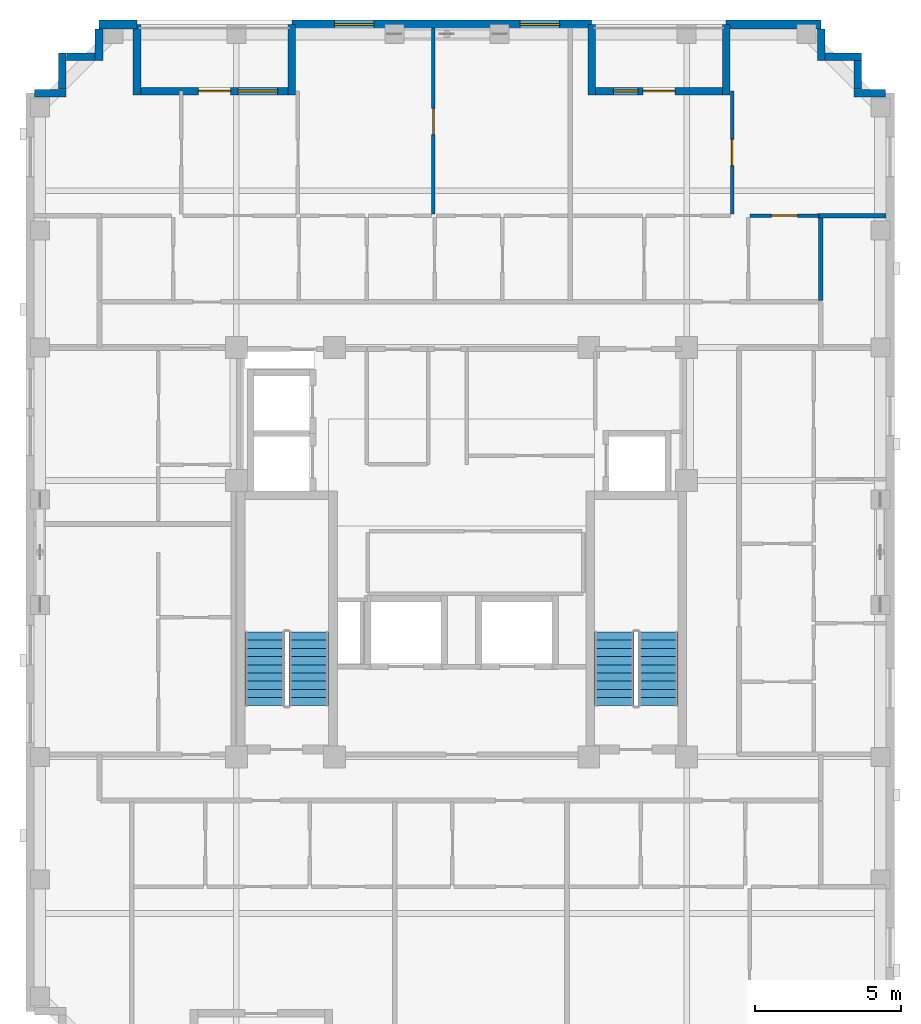
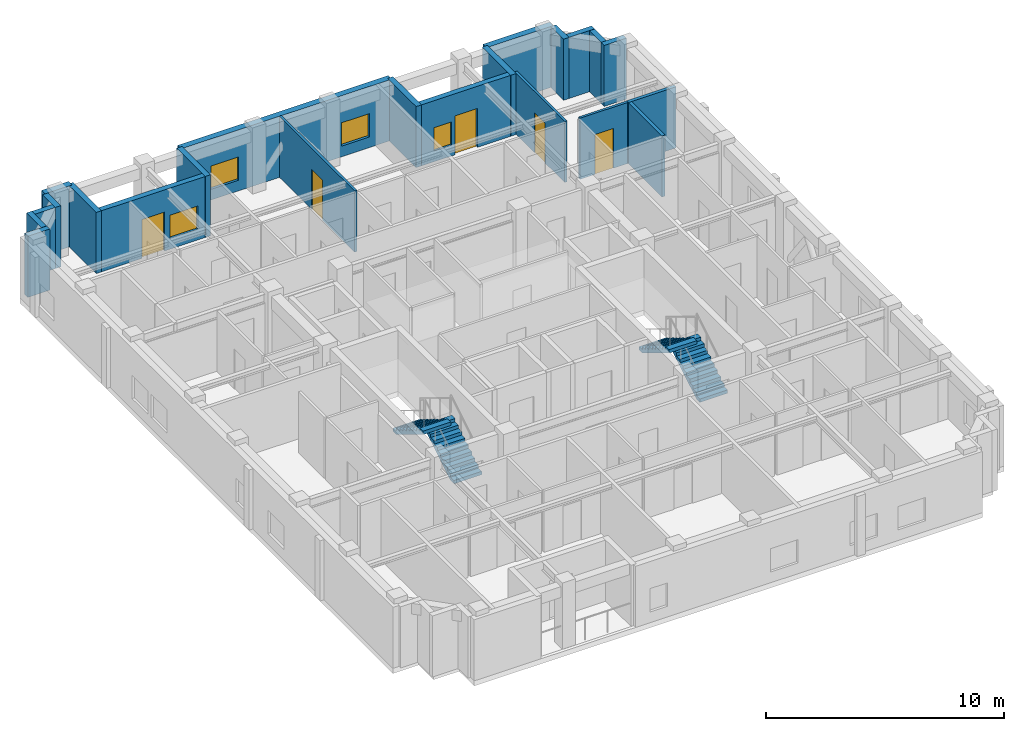
# One storey, part 7 of 11: 22 walls, 5 doors, 4 stair flights, 4 windows, 9 openings, 2 elements without a shape of their own.
"""IFC4 building model written with IfcOpenShell, lengths in metres."""

from ifc_helpers import new_model, si_unit, derived_unit, direction, frame, frame_2d, origin, place, context, subcontext, project, spatial, polyline, rectangle, outline, extrude, material, layer, layer_set, type_object, element, fill, aggregate, save


model = new_model("IFC4")

# Units and contexts
model_context = context("Model", 3, precision=1e-05, world=origin(), true_north=direction((0.0, 1.0)))
body_context = subcontext(model_context, "Body", "Model", "MODEL_VIEW")
ifc_project = project(units=[si_unit("LENGTHUNIT", "METRE"), si_unit("AREAUNIT", "SQUARE_METRE"), si_unit("VOLUMEUNIT", "CUBIC_METRE"), si_unit("PLANEANGLEUNIT", "RADIAN"), si_unit("MASSUNIT", "GRAM", prefix="KILO"), derived_unit("THERMALTRANSMITTANCEUNIT", [(si_unit("MASSUNIT", "GRAM", prefix="KILO"), 1), (si_unit("TIMEUNIT", "SECOND"), -3), (si_unit("THERMODYNAMICTEMPERATUREUNIT", "KELVIN"), -1)])], contexts=[model_context])

# Site, building, storey
site_placement = place(None, origin())
site = spatial("IfcSite", under=ifc_project, at=site_placement, CompositionType="ELEMENT")
building_placement = place(site_placement, origin())
building = spatial("IfcBuilding", under=site, at=building_placement, Name="Korrvale Station Residences", CompositionType="ELEMENT")
storey_placement = place(building_placement, frame((0.0, 0.0, 247.89990234375)))
storey = spatial("IfcBuildingStorey", under=building, at=storey_placement, Name="L72", CompositionType="ELEMENT", Elevation=247.89990234375)

# Wall
ifc_material_1 = material(Name="Precast concrete C45/55", Category="concrete")
ifc_layer_1 = layer(ifc_material_1, 0.260009765625, Name="Precast concrete C45/55")
ifc_layer_set_1 = layer_set([ifc_layer_1], Name="Precast concrete C45/55")
wall_type_1 = type_object("IfcWallType", Name="WAL-EXT-LOG260", PredefinedType="SOLIDWALL", material=ifc_layer_set_1)
wall_1_placement = place(storey_placement, frame((14.39990234375, 40.0400390625, 0.0), z_axis=(0.0, 0.0, 1.0), x_axis=(0.0, -1.0, 0.0)))
element("IfcWall", 1, at=wall_1_placement, inside=storey, type_object=wall_type_1, Name="L72 Recessed Loggia Wall BAL-L72-N2-L", PredefinedType="SOLIDWALL", context=body_context, shape_type="SweptSolid", body=[
    extrude(rectangle(XDim=2.400146484375, YDim=0.260009765625, at=frame_2d((1.2001953125, 0.0))), origin(), (0.0, 0.0, 1.0), 3.14013671875),
])

# Wall, openings, door, window
wall_2_placement = place(storey_placement, frame((14.533935546875, 37.77001953125, 0.0), z_axis=(0.0, 0.0, 1.0), x_axis=(1.0, 0.0, 0.0)))
wall_2 = element("IfcWall", 2, at=wall_2_placement, inside=storey, type_object=wall_type_1, Name="L72 Recessed Loggia Wall BAL-L72-N2-B", PredefinedType="SOLIDWALL", context=body_context, shape_type="SweptSolid", body=[
    extrude(rectangle(XDim=5.031982421875, YDim=0.260009765625, at=frame_2d((2.51611328125, 0.0))), origin(), (0.0, 0.0, 1.0), 3.14013671875),
])
opening_1_placement = place(wall_2_placement, frame((1.966064453125, 0.0, 0.0)))
opening_1 = element("IfcOpeningElement", 3, at=opening_1_placement, cuts=wall_2, Name="Opening BD-01", PredefinedType="OPENING", context=body_context, shape_type="SweptSolid", body=[
    extrude(rectangle(XDim=1.10009765625, YDim=2.0, at=frame_2d((0.550048828125, 1.0))), frame((0.0, 0.14013671875, 0.0), z_axis=(0.0, -1.0, 0.0), x_axis=(1.0, 0.0, 0.0)), (0.0, 0.0, 1.0), 0.280029296875),
])
opening_2_placement = place(wall_2_placement, frame((3.325927734375, 0.0, 0.550048828125)))
opening_2 = element("IfcOpeningElement", 4, at=opening_2_placement, cuts=wall_2, Name="Opening W-10", PredefinedType="OPENING", context=body_context, shape_type="SweptSolid", body=[
    extrude(rectangle(XDim=1.35009765625, YDim=1.199951171875, at=frame_2d((0.675048828125, 0.60009765625))), frame((0.0, 0.14013671875, 0.0), z_axis=(0.0, -1.0, 0.0), x_axis=(1.0, 0.0, 0.0)), (0.0, 0.0, 1.0), 0.280029296875),
])
ifc_material_2 = material(Name="Exterior thermally broken aluminium glazed balcony door", Category="aluminium")
door_type_1 = type_object("IfcDoorType", Name="DR-EXT-BAL", OperationType="NOTDEFINED", PredefinedType="DOOR", material=ifc_material_2)
door_1_placement = place(opening_1_placement, origin())
door_1 = element("IfcDoor", 5, at=door_1_placement, inside=storey, type_object=door_type_1, Name="L72 Loggia Balcony Door BAL-L72-N2", OperationType="SINGLE_SWING_RIGHT", OverallHeight=2.0, OverallWidth=1.10009765625, PredefinedType="DOOR", context=body_context, shape_type="SweptSolid", body=[
    extrude(rectangle(XDim=1.10009765625, YDim=2.0, at=frame_2d((0.550048828125, 1.0))), frame((0.0, 0.02490234375, 0.0), z_axis=(0.0, -1.0, 0.0), x_axis=(1.0, 0.0, 0.0)), (0.0, 0.0, 1.0), 0.050048828125),
])
fill(opening_1, door_1)
ifc_material_3 = material(Name="Thermally broken aluminium frame with triple low-e glazing", Category="aluminium")
window_type_1 = type_object("IfcWindowType", Name="WIN-W10", PartitioningType="SINGLE_PANEL", PredefinedType="WINDOW", material=ifc_material_3)
window_1_placement = place(opening_2_placement, origin())
window_1 = element("IfcWindow", 6, at=window_1_placement, inside=storey, type_object=window_type_1, Name="L72 Punched Window 07", OverallHeight=1.199951171875, OverallWidth=1.35009765625, PartitioningType="SINGLE_PANEL", PredefinedType="WINDOW", context=body_context, shape_type="SweptSolid", body=[
    extrude(rectangle(XDim=1.35009765625, YDim=1.199951171875, at=frame_2d((0.675048828125, 0.60009765625))), frame((0.0, 0.030029296875, 0.0), z_axis=(0.0, -1.0, 0.0), x_axis=(1.0, 0.0, 0.0)), (0.0, 0.0, 1.0), 0.06005859375),
])
fill(opening_2, window_1)

# Walls
for number, where, z_axis, x_axis, name in (
    (7, (19.699951171875, 37.639892578125, 0.0), (0.0, 0.0, 1.0), (0.0, 1.0, 0.0), "L72 Recessed Loggia Wall BAL-L72-N2-R"),
    (8, (29.949951171875, 40.0400390625, 0.0), (0.0, 0.0, 1.0), (0.0, -1.0, 0.0), "L72 Recessed Loggia Wall BAL-L72-N1-L"),
):
    element("IfcWall", number, at=place(storey_placement, frame(where, z_axis=z_axis, x_axis=x_axis)), inside=storey, type_object=wall_type_1, Name=name, PredefinedType="SOLIDWALL", context=body_context, shape_type="SweptSolid", body=[
        extrude(rectangle(XDim=2.400146484375, YDim=0.260009765625, at=frame_2d((1.2001953125, 0.0))), origin(), (0.0, 0.0, 1.0), 3.14013671875),
    ])

# Wall, openings, door, window
wall_3_placement = place(storey_placement, frame((30.083984375, 37.77001953125, 0.0), z_axis=(0.0, 0.0, 1.0), x_axis=(1.0, 0.0, 0.0)))
wall_3 = element("IfcWall", 9, at=wall_3_placement, inside=storey, type_object=wall_type_1, Name="L72 Recessed Loggia Wall BAL-L72-N1-B", PredefinedType="SOLIDWALL", context=body_context, shape_type="SweptSolid", body=[
    extrude(rectangle(XDim=4.33203125, YDim=0.260009765625, at=frame_2d((2.166015625, 0.0))), origin(), (0.0, 0.0, 1.0), 3.14013671875),
])
opening_3_placement = place(wall_3_placement, frame((1.615966796875, 0.0, 0.0)))
opening_3 = element("IfcOpeningElement", 10, at=opening_3_placement, cuts=wall_3, Name="Opening BD-01", PredefinedType="OPENING", context=body_context, shape_type="SweptSolid", body=[
    extrude(rectangle(XDim=1.10009765625, YDim=2.0, at=frame_2d((0.550048828125, 1.0))), frame((0.0, 0.14013671875, 0.0), z_axis=(0.0, -1.0, 0.0), x_axis=(1.0, 0.0, 0.0)), (0.0, 0.0, 1.0), 0.280029296875),
])
opening_4_placement = place(wall_3_placement, frame((0.60595703125, 0.0, 0.550048828125)))
opening_4 = element("IfcOpeningElement", 11, at=opening_4_placement, cuts=wall_3, Name="Opening W-11", PredefinedType="OPENING", context=body_context, shape_type="SweptSolid", body=[
    extrude(rectangle(XDim=0.85009765625, YDim=1.199951171875, at=frame_2d((0.425048828125, 0.60009765625))), frame((0.0, 0.14013671875, 0.0), z_axis=(0.0, -1.0, 0.0), x_axis=(1.0, 0.0, 0.0)), (0.0, 0.0, 1.0), 0.280029296875),
])
door_2_placement = place(opening_3_placement, origin())
door_2 = element("IfcDoor", 12, at=door_2_placement, inside=storey, type_object=door_type_1, Name="L72 Loggia Balcony Door BAL-L72-N1", OperationType="SINGLE_SWING_LEFT", OverallHeight=2.0, OverallWidth=1.10009765625, PredefinedType="DOOR", context=body_context, shape_type="SweptSolid", body=[
    extrude(rectangle(XDim=1.10009765625, YDim=2.0, at=frame_2d((0.550048828125, 1.0))), frame((0.0, 0.02490234375, 0.0), z_axis=(0.0, -1.0, 0.0), x_axis=(1.0, 0.0, 0.0)), (0.0, 0.0, 1.0), 0.050048828125),
])
fill(opening_3, door_2)
window_type_2 = type_object("IfcWindowType", Name="WIN-W11", PartitioningType="SINGLE_PANEL", PredefinedType="WINDOW", material=ifc_material_3)
window_2_placement = place(opening_4_placement, origin())
window_2 = element("IfcWindow", 13, at=window_2_placement, inside=storey, type_object=window_type_2, Name="L72 Punched Window 10", OverallHeight=1.199951171875, OverallWidth=0.85009765625, PartitioningType="SINGLE_PANEL", PredefinedType="WINDOW", context=body_context, shape_type="SweptSolid", body=[
    extrude(rectangle(XDim=0.85009765625, YDim=1.199951171875, at=frame_2d((0.425048828125, 0.60009765625))), frame((0.0, 0.030029296875, 0.0), z_axis=(0.0, -1.0, 0.0), x_axis=(1.0, 0.0, 0.0)), (0.0, 0.0, 1.0), 0.06005859375),
])
fill(opening_4, window_2)

# Walls
wall_4_placement = place(storey_placement, frame((34.550048828125, 37.639892578125, 0.0), z_axis=(0.0, 0.0, 1.0), x_axis=(0.0, 1.0, 0.0)))
element("IfcWall", 14, at=wall_4_placement, inside=storey, type_object=wall_type_1, Name="L72 Recessed Loggia Wall BAL-L72-N1-R", PredefinedType="SOLIDWALL", context=body_context, shape_type="SweptSolid", body=[
    extrude(rectangle(XDim=2.400146484375, YDim=0.260009765625, at=frame_2d((1.2001953125, 0.0))), origin(), (0.0, 0.0, 1.0), 3.14013671875),
])
wall_5_placement = place(storey_placement, frame((10.902099609375, 37.699951171875, 0.0), z_axis=(0.0, 0.0, 1.0), x_axis=(1.0, 0.0, 0.0)))
element("IfcWall", 15, at=wall_5_placement, inside=storey, type_object=wall_type_1, Name="L72 Serrated Corner Precast Step NW-1", PredefinedType="SOLIDWALL", context=body_context, shape_type="SweptSolid", body=[
    extrude(rectangle(XDim=1.077880859375, YDim=0.260009765625, at=frame_2d((0.5390625, 0.0))), origin(), (0.0, 0.0, 1.0), 3.14013671875),
])
wall_6_placement = place(storey_placement, frame((11.85009765625, 37.83203125, 0.0), z_axis=(0.0, 0.0, 1.0), x_axis=(0.0, 1.0, 0.0)))
element("IfcWall", 16, at=wall_6_placement, inside=storey, type_object=wall_type_1, Name="L72 Serrated Corner Precast Step NW-2", PredefinedType="SOLIDWALL", context=body_context, shape_type="SweptSolid", body=[
    extrude(rectangle(XDim=1.248046875, YDim=0.260009765625, at=frame_2d((0.6240234375, 0.0))), origin(), (0.0, 0.0, 1.0), 3.14013671875),
])
wall_7_placement = place(storey_placement, frame((11.98193359375, 38.949951171875, 0.0), z_axis=(0.0, 0.0, 1.0), x_axis=(1.0, 0.0, 0.0)))
element("IfcWall", 17, at=wall_7_placement, inside=storey, type_object=wall_type_1, Name="L72 Serrated Corner Precast Step NW-3", PredefinedType="SOLIDWALL", context=body_context, shape_type="SweptSolid", body=[
    extrude(rectangle(XDim=0.986083984375, YDim=0.260009765625, at=frame_2d((0.4931640625, 0.0))), origin(), (0.0, 0.0, 1.0), 3.14013671875),
])
for number, where, z_axis, x_axis, name in (
    (18, (13.10009765625, 38.820068359375, 0.0), (0.0, 0.0, 1.0), (0.0, 1.0, 0.0), "L72 Serrated Corner Precast Step NW-4"),
    (19, (37.800048828125, 39.89794921875, 0.0), (0.0, 0.0, 1.0), (0.0, -1.0, 0.0), "L72 Serrated Corner Precast Step NE-1"),
):
    element("IfcWall", number, at=place(storey_placement, frame(where, z_axis=z_axis, x_axis=x_axis)), inside=storey, type_object=wall_type_1, Name=name, PredefinedType="SOLIDWALL", context=body_context, shape_type="SweptSolid", body=[
        extrude(rectangle(XDim=1.077880859375, YDim=0.260009765625, at=frame_2d((0.5390625, 0.0))), origin(), (0.0, 0.0, 1.0), 3.14013671875),
    ])
wall_8_placement = place(storey_placement, frame((37.931884765625, 38.949951171875, 0.0), z_axis=(0.0, 0.0, 1.0), x_axis=(1.0, 0.0, 0.0)))
element("IfcWall", 20, at=wall_8_placement, inside=storey, type_object=wall_type_1, Name="L72 Serrated Corner Precast Step NE-2", PredefinedType="SOLIDWALL", context=body_context, shape_type="SweptSolid", body=[
    extrude(rectangle(XDim=1.248046875, YDim=0.260009765625, at=frame_2d((0.6240234375, 0.0))), origin(), (0.0, 0.0, 1.0), 3.14013671875),
])
wall_9_placement = place(storey_placement, frame((39.050048828125, 38.818115234375, 0.0), z_axis=(0.0, 0.0, 1.0), x_axis=(0.0, -1.0, 0.0)))
element("IfcWall", 21, at=wall_9_placement, inside=storey, type_object=wall_type_1, Name="L72 Serrated Corner Precast Step NE-3", PredefinedType="SOLIDWALL", context=body_context, shape_type="SweptSolid", body=[
    extrude(rectangle(XDim=0.986083984375, YDim=0.260009765625, at=frame_2d((0.4931640625, 0.0))), origin(), (0.0, 0.0, 1.0), 3.14013671875),
])
wall_10_placement = place(storey_placement, frame((38.919921875, 37.699951171875, 0.0), z_axis=(0.0, 0.0, 1.0), x_axis=(1.0, 0.0, 0.0)))
element("IfcWall", 22, at=wall_10_placement, inside=storey, type_object=wall_type_1, Name="L72 Serrated Corner Precast Step NE-4", PredefinedType="SOLIDWALL", context=body_context, shape_type="SweptSolid", body=[
    extrude(rectangle(XDim=1.078125, YDim=0.260009765625, at=frame_2d((0.5390625, 0.0))), origin(), (0.0, 0.0, 1.0), 3.14013671875),
])
ifc_layer_2 = layer(ifc_material_1, 0.300048828125, Name="Precast concrete C45/55")
ifc_layer_set_2 = layer_set([ifc_layer_2], Name="Precast concrete C45/55")
wall_type_2 = type_object("IfcWallType", Name="WAL-EXT-PC300", PredefinedType="SOLIDWALL", material=ifc_layer_set_2)
wall_11_placement = place(storey_placement, frame((13.10009765625, 40.050048828125, 0.0), z_axis=(0.0, 0.0, 1.0), x_axis=(1.0, 0.0, 0.0)))
element("IfcWall", 23, at=wall_11_placement, inside=storey, type_object=wall_type_2, Name="L72 North Exterior Precast Wall 1", PredefinedType="SOLIDWALL", context=body_context, shape_type="SweptSolid", body=[
    extrude(rectangle(XDim=1.2998046875, YDim=0.300048828125, at=frame_2d((0.64990234375, 0.0))), origin(), (0.0, 0.0, 1.0), 3.14013671875),
])

# Wall, openings, windows
wall_12_placement = place(storey_placement, frame((19.699951171875, 40.050048828125, 0.0), z_axis=(0.0, 0.0, 1.0), x_axis=(1.0, 0.0, 0.0)))
wall_12 = element("IfcWall", 24, at=wall_12_placement, inside=storey, type_object=wall_type_2, Name="L72 North Exterior Precast Wall 2", PredefinedType="SOLIDWALL", context=body_context, shape_type="SweptSolid", body=[
    extrude(rectangle(XDim=10.25, YDim=0.300048828125, at=frame_2d((5.125, 0.0))), origin(), (0.0, 0.0, 1.0), 3.14013671875),
])
opening_5_placement = place(wall_12_placement, frame((1.449951171875, 0.0, 0.550048828125)))
opening_5 = element("IfcOpeningElement", 25, at=opening_5_placement, cuts=wall_12, Name="Opening W-10", PredefinedType="OPENING", context=body_context, shape_type="SweptSolid", body=[
    extrude(rectangle(XDim=1.35009765625, YDim=1.199951171875, at=frame_2d((0.675048828125, 0.60009765625))), frame((0.0, 0.16015625, 0.0), z_axis=(0.0, -1.0, 0.0), x_axis=(1.0, 0.0, 0.0)), (0.0, 0.0, 1.0), 0.320068359375),
])
opening_6_placement = place(wall_12_placement, frame((7.800048828125, 0.0, 0.550048828125)))
opening_6 = element("IfcOpeningElement", 26, at=opening_6_placement, cuts=wall_12, Name="Opening W-10", PredefinedType="OPENING", context=body_context, shape_type="SweptSolid", body=[
    extrude(rectangle(XDim=1.35009765625, YDim=1.199951171875, at=frame_2d((0.675048828125, 0.60009765625))), frame((0.0, 0.16015625, 0.0), z_axis=(0.0, -1.0, 0.0), x_axis=(1.0, 0.0, 0.0)), (0.0, 0.0, 1.0), 0.320068359375),
])
window_3_placement = place(opening_5_placement, origin())
window_3 = element("IfcWindow", 27, at=window_3_placement, inside=storey, type_object=window_type_1, Name="L72 Punched Window 08", OverallHeight=1.199951171875, OverallWidth=1.35009765625, PartitioningType="SINGLE_PANEL", PredefinedType="WINDOW", context=body_context, shape_type="SweptSolid", body=[
    extrude(rectangle(XDim=1.35009765625, YDim=1.199951171875, at=frame_2d((0.675048828125, 0.60009765625))), frame((0.0, 0.030029296875, 0.0), z_axis=(0.0, -1.0, 0.0), x_axis=(1.0, 0.0, 0.0)), (0.0, 0.0, 1.0), 0.06005859375),
])
fill(opening_5, window_3)
window_4_placement = place(opening_6_placement, origin())
window_4 = element("IfcWindow", 28, at=window_4_placement, inside=storey, type_object=window_type_1, Name="L72 Punched Window 09", OverallHeight=1.199951171875, OverallWidth=1.35009765625, PartitioningType="SINGLE_PANEL", PredefinedType="WINDOW", context=body_context, shape_type="SweptSolid", body=[
    extrude(rectangle(XDim=1.35009765625, YDim=1.199951171875, at=frame_2d((0.675048828125, 0.60009765625))), frame((0.0, 0.030029296875, 0.0), z_axis=(0.0, -1.0, 0.0), x_axis=(1.0, 0.0, 0.0)), (0.0, 0.0, 1.0), 0.06005859375),
])
fill(opening_6, window_4)

# Wall
wall_13_placement = place(storey_placement, frame((34.550048828125, 40.050048828125, 0.0), z_axis=(0.0, 0.0, 1.0), x_axis=(1.0, 0.0, 0.0)))
element("IfcWall", 29, at=wall_13_placement, inside=storey, type_object=wall_type_2, Name="L72 North Exterior Precast Wall 3", PredefinedType="SOLIDWALL", context=body_context, shape_type="SweptSolid", body=[
    extrude(rectangle(XDim=3.25, YDim=0.300048828125, at=frame_2d((1.625, 0.0))), origin(), (0.0, 0.0, 1.0), 3.14013671875),
])

# Wall, opening, door
ifc_material_4 = material(Name="Acoustic steel-stud gypsum board partition", Category="steel")
ifc_layer_3 = layer(ifc_material_4, 0.1201171875, Name="Acoustic steel-stud gypsum board partition")
ifc_layer_set_3 = layer_set([ifc_layer_3], Name="Acoustic steel-stud gypsum board partition")
wall_type_3 = type_object("IfcWallType", Name="WAL-PART-125", PredefinedType="PARTITIONING", material=ifc_layer_set_3)
wall_14_placement = place(storey_placement, frame((24.5400390625, 33.570068359375, 0.0), z_axis=(0.0, 0.0, 1.0), x_axis=(0.0, 1.0, 0.0)))
wall_14 = element("IfcWall", 30, at=wall_14_placement, inside=storey, type_object=wall_type_3, Name="L72 Suite Partition U04-V89", PredefinedType="PARTITIONING", context=body_context, shape_type="SweptSolid", body=[
    extrude(rectangle(XDim=6.349853515625, YDim=0.1201171875, at=frame_2d((3.1748046875, 0.0))), origin(), (0.0, 0.0, 1.0), 3.14013671875),
])
opening_7_placement = place(wall_14_placement, frame((2.7099609375, 0.0, 0.0)))
opening_7 = element("IfcOpeningElement", 31, at=opening_7_placement, cuts=wall_14, Name="Opening DI-900", PredefinedType="OPENING", context=body_context, shape_type="SweptSolid", body=[
    extrude(rectangle(XDim=0.89990234375, YDim=2.050048828125, at=frame_2d((0.449951171875, 1.02490234375))), frame((0.0, 0.070068359375, 0.0), z_axis=(0.0, -1.0, 0.0), x_axis=(1.0, 0.0, 0.0)), (0.0, 0.0, 1.0), 0.14013671875),
])
ifc_material_5 = material(Name="Painted solid-core timber interior room door", Category="wood")
door_type_2 = type_object("IfcDoorType", Name="DR-INT-900", OperationType="NOTDEFINED", PredefinedType="DOOR", material=ifc_material_5)
door_3_placement = place(opening_7_placement, origin())
door_3 = element("IfcDoor", 32, at=door_3_placement, inside=storey, type_object=door_type_2, Name="L72 Apartment 2BR L72-U04 Bedroom 1 Door", OperationType="SINGLE_SWING_RIGHT", OverallHeight=2.050048828125, OverallWidth=0.89990234375, PredefinedType="DOOR", context=body_context, shape_type="SweptSolid", body=[
    extrude(rectangle(XDim=0.89990234375, YDim=2.050048828125, at=frame_2d((0.449951171875, 1.02490234375))), frame((0.0, 0.02490234375, 0.0), z_axis=(0.0, -1.0, 0.0), x_axis=(1.0, 0.0, 0.0)), (0.0, 0.0, 1.0), 0.050048828125),
])
fill(opening_7, door_3)

wall_15_placement = place(storey_placement, frame((35.3701171875, 33.510009765625, 0.0), z_axis=(0.0, 0.0, 1.0), x_axis=(1.0, 0.0, 0.0)))
wall_15 = element("IfcWall", 33, at=wall_15_placement, inside=storey, type_object=wall_type_3, Name="L72 Suite Partition U05-H24", PredefinedType="PARTITIONING", context=body_context, shape_type="SweptSolid", body=[
    extrude(rectangle(XDim=2.349853515625, YDim=0.1201171875, at=frame_2d((1.1748046875, 0.0))), origin(), (0.0, 0.0, 1.0), 3.14013671875),
])
opening_8_placement = place(wall_15_placement, frame((0.72509765625, 0.0, 0.0)))
opening_8 = element("IfcOpeningElement", 34, at=opening_8_placement, cuts=wall_15, Name="Opening DI-900", PredefinedType="OPENING", context=body_context, shape_type="SweptSolid", body=[
    extrude(rectangle(XDim=0.89990234375, YDim=2.050048828125, at=frame_2d((0.449951171875, 1.02490234375))), frame((0.0, 0.070068359375, 0.0), z_axis=(0.0, -1.0, 0.0), x_axis=(1.0, 0.0, 0.0)), (0.0, 0.0, 1.0), 0.14013671875),
])
door_4_placement = place(opening_8_placement, origin())
door_4 = element("IfcDoor", 35, at=door_4_placement, inside=storey, type_object=door_type_2, Name="L72 Apartment 1BR L72-U05 Utility and Laundry Room Door", OperationType="SINGLE_SWING_RIGHT", OverallHeight=2.050048828125, OverallWidth=0.89990234375, PredefinedType="DOOR", context=body_context, shape_type="SweptSolid", body=[
    extrude(rectangle(XDim=0.89990234375, YDim=2.050048828125, at=frame_2d((0.449951171875, 1.02490234375))), frame((0.0, 0.02490234375, 0.0), z_axis=(0.0, -1.0, 0.0), x_axis=(1.0, 0.0, 0.0)), (0.0, 0.0, 1.0), 0.050048828125),
])
fill(opening_8, door_4)

wall_16_placement = place(storey_placement, frame((34.75, 33.570068359375, 0.0), z_axis=(0.0, 0.0, 1.0), x_axis=(0.0, 1.0, 0.0)))
wall_16 = element("IfcWall", 36, at=wall_16_placement, inside=storey, type_object=wall_type_3, Name="L72 Suite Partition U05-V34", PredefinedType="PARTITIONING", context=body_context, shape_type="SweptSolid", body=[
    extrude(rectangle(XDim=4.199951171875, YDim=0.1201171875, at=frame_2d((2.10009765625, 0.0))), origin(), (0.0, 0.0, 1.0), 3.14013671875),
])
opening_9_placement = place(wall_16_placement, frame((1.64990234375, 0.0, 0.0)))
opening_9 = element("IfcOpeningElement", 37, at=opening_9_placement, cuts=wall_16, Name="Opening DI-900", PredefinedType="OPENING", context=body_context, shape_type="SweptSolid", body=[
    extrude(rectangle(XDim=0.89990234375, YDim=2.050048828125, at=frame_2d((0.449951171875, 1.02490234375))), frame((0.0, 0.070068359375, 0.0), z_axis=(0.0, -1.0, 0.0), x_axis=(1.0, 0.0, 0.0)), (0.0, 0.0, 1.0), 0.14013671875),
])
door_5_placement = place(opening_9_placement, origin())
door_5 = element("IfcDoor", 38, at=door_5_placement, inside=storey, type_object=door_type_2, Name="L72 Apartment 1BR L72-U05 Living and Dining Room Door", OperationType="SINGLE_SWING_LEFT", OverallHeight=2.050048828125, OverallWidth=0.89990234375, PredefinedType="DOOR", context=body_context, shape_type="SweptSolid", body=[
    extrude(rectangle(XDim=0.89990234375, YDim=2.050048828125, at=frame_2d((0.449951171875, 1.02490234375))), frame((0.0, 0.02490234375, 0.0), z_axis=(0.0, -1.0, 0.0), x_axis=(1.0, 0.0, 0.0)), (0.0, 0.0, 1.0), 0.050048828125),
])
fill(opening_9, door_5)

# Walls
ifc_material_6 = material(Name="Fire-rated twin-stud gypsum and mineral wool shaftwall assembly", Category="gypsum")
ifc_layer_4 = layer(ifc_material_6, 0.159912109375, Name="Fire-rated twin-stud gypsum and mineral wool shaftwall assembly")
ifc_layer_set_4 = layer_set([ifc_layer_4], Name="Fire-rated twin-stud gypsum and mineral wool shaftwall assembly")
wall_type_4 = type_object("IfcWallType", Name="WAL-PART-200", PredefinedType="PARTITIONING", material=ifc_layer_set_4)
wall_17_placement = place(storey_placement, frame((37.679931640625, 33.510009765625, 0.0), z_axis=(0.0, 0.0, 1.0), x_axis=(1.0, 0.0, 0.0)))
element("IfcWall", 39, at=wall_17_placement, inside=storey, type_object=wall_type_4, Name="L72 Corner Step Wall U05-R", PredefinedType="PARTITIONING", context=body_context, shape_type="SweptSolid", body=[
    extrude(rectangle(XDim=2.340087890625, YDim=0.159912109375, at=frame_2d((1.169921875, 0.0))), origin(), (0.0, 0.0, 1.0), 3.14013671875),
])
wall_18_placement = place(storey_placement, frame((37.780029296875, 30.60009765625, 0.0), z_axis=(0.0, 0.0, 1.0), x_axis=(0.0, 1.0, 0.0)))
element("IfcWall", 40, at=wall_18_placement, inside=storey, type_object=wall_type_4, Name="L72 Corner Step Cheek U05-R", PredefinedType="PARTITIONING", context=body_context, shape_type="SweptSolid", body=[
    extrude(rectangle(XDim=2.909912109375, YDim=0.159912109375, at=frame_2d((1.455078125, 0.0))), origin(), (0.0, 0.0, 1.0), 3.14013671875),
])

# Stair, stair flights
ifc_material_7 = material(Name="Concrete C50/60", Category="concrete")
stair_type = type_object("IfcStairType", Name="STR-DL-1350-20R-1700", PredefinedType="HALF_TURN_STAIR", material=ifc_material_7)
stair_1_placement = place(storey_placement, origin())
stair_1 = element("IfcStair", 41, at=stair_1_placement, inside=storey, type_object=stair_type, Name="L72 Exit Stair 1", PredefinedType="HALF_TURN_STAIR")
stair_flight_type = type_object("IfcStairFlightType", Name="FLT-DL-1350-20R-1700", PredefinedType="STRAIGHT", material=ifc_material_7)
stair_flight_1_placement = place(storey_placement, frame((20.27490234375, 16.75, 0.0), z_axis=(0.0, 0.0, 1.0), x_axis=(0.0, 1.0, 0.0)))
stair_flight_1 = element("IfcStairFlight", 42, at=stair_flight_1_placement, type_object=stair_flight_type, Name="ST-1 flight 1", NumberOfRisers=10, NumberOfTreads=9, PredefinedType="STRAIGHT", RiserHeight=0.17, TreadLength=0.28, context=body_context, shape_type="SweptSolid", body=[
    extrude(outline(polyline([(0.0, 0.0), (0.0, 0.169921875), (0.280029296875, 0.169921875), (0.280029296875, 0.340087890625), (0.56005859375, 0.340087890625), (0.56005859375, 0.510009765625), (0.840087890625, 0.510009765625), (0.840087890625, 0.679931640625), (1.1201171875, 0.679931640625), (1.1201171875, 0.85009765625), (1.39990234375, 0.85009765625), (1.39990234375, 1.02001953125), (1.679931640625, 1.02001953125), (1.679931640625, 1.18994140625), (1.9599609375, 1.18994140625), (1.9599609375, 1.360107421875), (2.239990234375, 1.360107421875), (2.239990234375, 1.530029296875), (2.52001953125, 1.530029296875), (2.52001953125, 1.699951171875), (2.52001953125, 1.354736328125), (0.288818359375, 0.0), (0.0, 0.0)])), frame((0.0, 0.675048828125, 0.0), z_axis=(0.0, -1.0, 0.0), x_axis=(1.0, 0.0, 0.0)), (0.0, 0.0, 1.0), 1.35009765625),
])
stair_flight_2_placement = place(storey_placement, frame((18.77490234375, 19.27001953125, 1.7001953125), z_axis=(0.0, 0.0, 1.0), x_axis=(0.0, -1.0, 0.0)))
stair_flight_2 = element("IfcStairFlight", 43, at=stair_flight_2_placement, type_object=stair_flight_type, Name="ST-1 flight 2", NumberOfRisers=10, NumberOfTreads=9, PredefinedType="STRAIGHT", RiserHeight=0.17, TreadLength=0.28, context=body_context, shape_type="SweptSolid", body=[
    extrude(outline(polyline([(0.0, 0.0), (0.0, 0.169921875), (0.280029296875, 0.169921875), (0.280029296875, 0.340087890625), (0.56005859375, 0.340087890625), (0.56005859375, 0.510009765625), (0.840087890625, 0.510009765625), (0.840087890625, 0.679931640625), (1.1201171875, 0.679931640625), (1.1201171875, 0.85009765625), (1.39990234375, 0.85009765625), (1.39990234375, 1.02001953125), (1.679931640625, 1.02001953125), (1.679931640625, 1.18994140625), (1.9599609375, 1.18994140625), (1.9599609375, 1.360107421875), (2.239990234375, 1.360107421875), (2.239990234375, 1.530029296875), (2.52001953125, 1.530029296875), (2.52001953125, 1.699951171875), (2.52001953125, 1.354736328125), (0.288818359375, 0.0), (0.0, 0.0)])), frame((0.0, 0.675048828125, 0.0), z_axis=(0.0, -1.0, 0.0), x_axis=(1.0, 0.0, 0.0)), (0.0, 0.0, 1.0), 1.35009765625),
])
aggregate(stair_1, [stair_flight_1, stair_flight_2])

stair_2_placement = place(storey_placement, origin())
stair_2 = element("IfcStair", 44, at=stair_2_placement, inside=storey, type_object=stair_type, Name="L72 Exit Stair 2", PredefinedType="HALF_TURN_STAIR")
stair_flight_3_placement = place(storey_placement, frame((32.22509765625, 16.75, 0.0), z_axis=(0.0, 0.0, 1.0), x_axis=(0.0, 1.0, 0.0)))
stair_flight_3 = element("IfcStairFlight", 45, at=stair_flight_3_placement, type_object=stair_flight_type, Name="ST-2 flight 1", NumberOfRisers=10, NumberOfTreads=9, PredefinedType="STRAIGHT", RiserHeight=0.17, TreadLength=0.28, context=body_context, shape_type="SweptSolid", body=[
    extrude(outline(polyline([(0.0, 0.0), (0.0, 0.169921875), (0.280029296875, 0.169921875), (0.280029296875, 0.340087890625), (0.56005859375, 0.340087890625), (0.56005859375, 0.510009765625), (0.840087890625, 0.510009765625), (0.840087890625, 0.679931640625), (1.1201171875, 0.679931640625), (1.1201171875, 0.85009765625), (1.39990234375, 0.85009765625), (1.39990234375, 1.02001953125), (1.679931640625, 1.02001953125), (1.679931640625, 1.18994140625), (1.9599609375, 1.18994140625), (1.9599609375, 1.360107421875), (2.239990234375, 1.360107421875), (2.239990234375, 1.530029296875), (2.52001953125, 1.530029296875), (2.52001953125, 1.699951171875), (2.52001953125, 1.354736328125), (0.288818359375, 0.0), (0.0, 0.0)])), frame((0.0, 0.675048828125, 0.0), z_axis=(0.0, -1.0, 0.0), x_axis=(1.0, 0.0, 0.0)), (0.0, 0.0, 1.0), 1.35009765625),
])
stair_flight_4_placement = place(storey_placement, frame((30.72509765625, 19.27001953125, 1.7001953125), z_axis=(0.0, 0.0, 1.0), x_axis=(0.0, -1.0, 0.0)))
stair_flight_4 = element("IfcStairFlight", 46, at=stair_flight_4_placement, type_object=stair_flight_type, Name="ST-2 flight 2", NumberOfRisers=10, NumberOfTreads=9, PredefinedType="STRAIGHT", RiserHeight=0.17, TreadLength=0.28, context=body_context, shape_type="SweptSolid", body=[
    extrude(outline(polyline([(0.0, 0.0), (0.0, 0.169921875), (0.280029296875, 0.169921875), (0.280029296875, 0.340087890625), (0.56005859375, 0.340087890625), (0.56005859375, 0.510009765625), (0.840087890625, 0.510009765625), (0.840087890625, 0.679931640625), (1.1201171875, 0.679931640625), (1.1201171875, 0.85009765625), (1.39990234375, 0.85009765625), (1.39990234375, 1.02001953125), (1.679931640625, 1.02001953125), (1.679931640625, 1.18994140625), (1.9599609375, 1.18994140625), (1.9599609375, 1.360107421875), (2.239990234375, 1.360107421875), (2.239990234375, 1.530029296875), (2.52001953125, 1.530029296875), (2.52001953125, 1.699951171875), (2.52001953125, 1.354736328125), (0.288818359375, 0.0), (0.0, 0.0)])), frame((0.0, 0.675048828125, 0.0), z_axis=(0.0, -1.0, 0.0), x_axis=(1.0, 0.0, 0.0)), (0.0, 0.0, 1.0), 1.35009765625),
])
aggregate(stair_2, [stair_flight_3, stair_flight_4])

save(model, "model.ifc")
